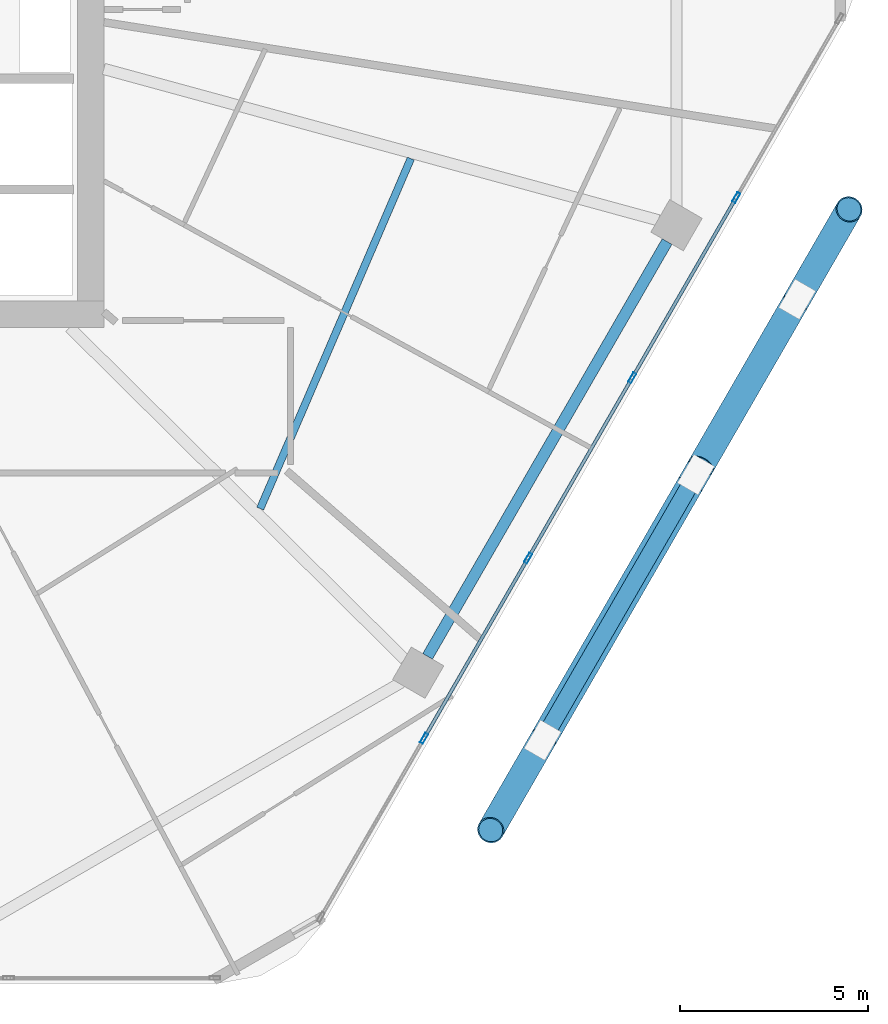
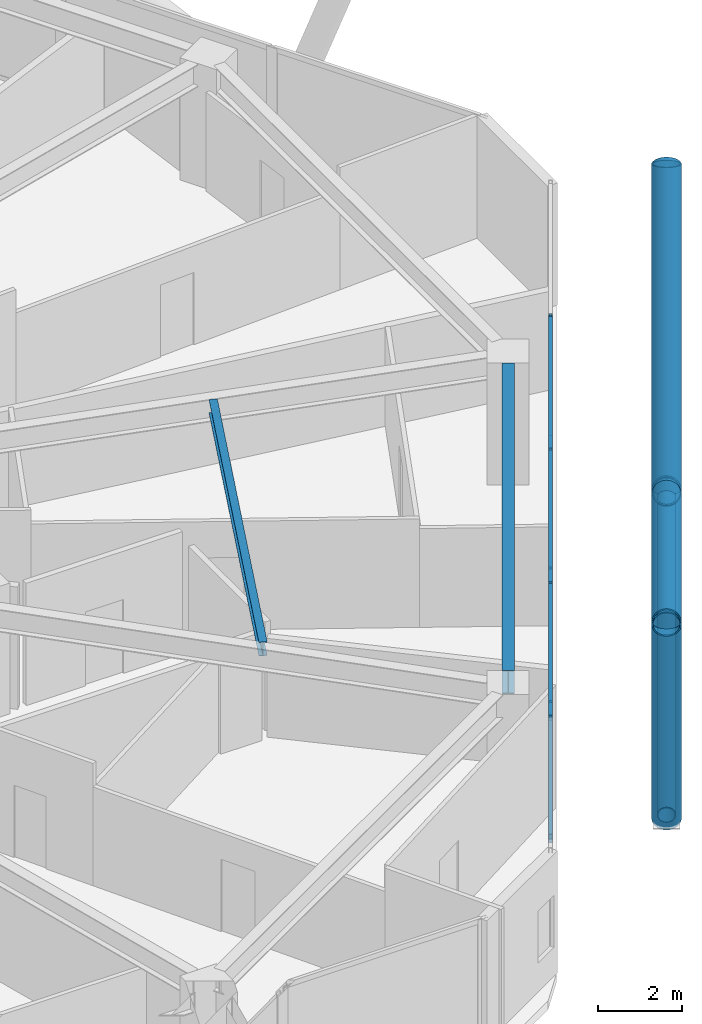
# One storey, part 8 of 28: 16 members, 2 beams, 1 element without a shape of its own.
"""IFC4 building model written with IfcOpenShell, lengths in metres."""

from ifc_helpers import new_model, si_unit, direction, frame, origin, origin_2d, place, context, subcontext, project, spatial, hollow_rectangle, hollow_circle, i_section, extrude, material, material_profile, profile_set, type_object, element, aggregate, save


model = new_model("IFC4")

# Units and contexts
model_context = context("Model", 3, precision=1e-05, world=origin(), true_north=direction((0.0, 1.0)))
body_context = subcontext(model_context, "Body", "Model", "MODEL_VIEW")
ifc_project = project(units=[si_unit("LENGTHUNIT", "METRE"), si_unit("AREAUNIT", "SQUARE_METRE"), si_unit("VOLUMEUNIT", "CUBIC_METRE"), si_unit("PLANEANGLEUNIT", "RADIAN"), si_unit("MASSUNIT", "GRAM", prefix="KILO")], contexts=[model_context])

# Site, building, storey
site_placement = place(None, origin())
site = spatial("IfcSite", under=ifc_project, at=site_placement, CompositionType="ELEMENT")
building_placement = place(site_placement, origin())
building = spatial("IfcBuilding", under=site, at=building_placement, Name="Zuhravey Tower", CompositionType="ELEMENT")
storey_placement = place(building_placement, frame((0.0, 0.0, 169.39990234375)))
storey = spatial("IfcBuildingStorey", under=building, at=storey_placement, Name="L42", CompositionType="ELEMENT", Elevation=169.39990234375)

# Curtain wall, members
ifc_material_1 = material(Name="Thermally broken anodised aluminium", Category="aluminium")
curtain_wall_type = type_object("IfcCurtainWallType", Name="Zone 1-2 Residential Curtain Wall CW3", PredefinedType="NOTDEFINED", material=ifc_material_1)
curtain_wall_placement = place(storey_placement, origin())
curtain_wall = element("IfcCurtainWall", 1, at=curtain_wall_placement, inside=storey, type_object=curtain_wall_type, Name="L42 CW3 CW-L42-F6-1", PredefinedType="NOTDEFINED")
ifc_material_2 = material(Name="Anodised aluminium", Category="aluminium")
ifc_material_profile_1 = material_profile(ifc_material_2, hollow_rectangle(XDim=0.090087890625, YDim=0.284912109375, WallThickness=0.0048828125, at=origin_2d()), Name="ALU-RHS-90x285x5")
ifc_profile_set_1 = profile_set([ifc_material_profile_1], Name="Anodised aluminium")
member_type_1 = type_object("IfcMemberType", Name="Curtain-Wall Mullion 90x180", PredefinedType="MULLION", material=ifc_profile_set_1)
member_1_placement = place(storey_placement, frame((63.699462890625, 25.61083984375, 0.0), z_axis=(0.0, 0.0, 1.0), x_axis=(0.866025138215, -0.500000459979, 0.0)))
member_1 = element("IfcMember", 2, at=member_1_placement, type_object=member_type_1, Name="CW3 mullion 2", PredefinedType="MULLION", context=body_context, shape_type="SweptSolid", body=[
    extrude(hollow_rectangle(XDim=0.090087890625, YDim=0.284912109375, WallThickness=0.0048828125, at=origin_2d()), origin(), (0.0, 0.0, 1.0), 3.550048828125),
])
member_2_placement = place(storey_placement, frame((60.92724609375, 20.809326171875, 0.0), z_axis=(0.0, 0.0, 1.0), x_axis=(0.866025138215, -0.500000459979, 0.0)))
member_2 = element("IfcMember", 3, at=member_2_placement, type_object=member_type_1, Name="CW3 mullion 3", PredefinedType="MULLION", context=body_context, shape_type="SweptSolid", body=[
    extrude(hollow_rectangle(XDim=0.090087890625, YDim=0.284912109375, WallThickness=0.0048828125, at=origin_2d()), origin(), (0.0, 0.0, 1.0), 3.550048828125),
])
member_3_placement = place(storey_placement, frame((58.155029296875, 16.007568359375, 0.0), z_axis=(0.0, 0.0, 1.0), x_axis=(0.866025138215, -0.500000459979, 0.0)))
member_3 = element("IfcMember", 4, at=member_3_placement, type_object=member_type_1, Name="CW3 mullion 4", PredefinedType="MULLION", context=body_context, shape_type="SweptSolid", body=[
    extrude(hollow_rectangle(XDim=0.090087890625, YDim=0.284912109375, WallThickness=0.0048828125, at=origin_2d()), origin(), (0.0, 0.0, 1.0), 3.550048828125),
])
member_4_placement = place(storey_placement, frame((55.3828125, 11.2060546875, 0.0), z_axis=(0.0, 0.0, 1.0), x_axis=(0.866025138215, -0.500000459979, 0.0)))
member_4 = element("IfcMember", 5, at=member_4_placement, type_object=member_type_1, Name="CW3 mullion 5", PredefinedType="MULLION", context=body_context, shape_type="SweptSolid", body=[
    extrude(hollow_rectangle(XDim=0.090087890625, YDim=0.284912109375, WallThickness=0.0048828125, at=origin_2d()), origin(), (0.0, 0.0, 1.0), 3.550048828125),
])
ifc_material_profile_2 = material_profile(ifc_material_2, hollow_rectangle(XDim=0.090087890625, YDim=0.14990234375, WallThickness=0.0048828125, at=origin_2d()), Name="ALU-RHS-90x150x5")
ifc_profile_set_2 = profile_set([ifc_material_profile_2], Name="Anodised aluminium")
member_type_2 = type_object("IfcMemberType", Name="Curtain-Wall Transom 90x150", PredefinedType="USERDEFINED", material=ifc_profile_set_2)
member_5_placement = place(storey_placement, frame((63.677001953125, 25.572021484375, 0.045166015625), z_axis=(-0.49996138257, -0.86604769842, 0.0), x_axis=(0.86604769842, -0.49996138257, 0.0)))
member_5 = element("IfcMember", 6, at=member_5_placement, type_object=member_type_2, Name="CW3 transom 2.1", ObjectType="TRANSOM", PredefinedType="USERDEFINED", context=body_context, shape_type="SweptSolid", body=[
    extrude(hollow_rectangle(XDim=0.090087890625, YDim=0.14990234375, WallThickness=0.0048828125, at=origin_2d()), origin(), (0.0, 0.0, 1.0), 5.45458984375),
])
member_6_placement = place(storey_placement, frame((63.677001953125, 25.572021484375, 3.505126953125), z_axis=(-0.49996138257, -0.86604769842, 0.0), x_axis=(0.86604769842, -0.49996138257, 0.0)))
member_6 = element("IfcMember", 7, at=member_6_placement, type_object=member_type_2, Name="CW3 transom 2.2", ObjectType="TRANSOM", PredefinedType="USERDEFINED", context=body_context, shape_type="SweptSolid", body=[
    extrude(hollow_rectangle(XDim=0.090087890625, YDim=0.14990234375, WallThickness=0.0048828125, at=origin_2d()), origin(), (0.0, 0.0, 1.0), 5.45458984375),
])
member_7_placement = place(storey_placement, frame((60.90478515625, 20.770263671875, 0.045166015625), z_axis=(-0.499980763544, -0.866036509673, 0.0), x_axis=(0.866036509673, -0.499980763544, 0.0)))
member_7 = element("IfcMember", 8, at=member_7_placement, type_object=member_type_2, Name="CW3 transom 3.1", ObjectType="TRANSOM", PredefinedType="USERDEFINED", context=body_context, shape_type="SweptSolid", body=[
    extrude(hollow_rectangle(XDim=0.090087890625, YDim=0.14990234375, WallThickness=0.0048828125, at=origin_2d()), origin(), (0.0, 0.0, 1.0), 5.454345703125),
])
member_8_placement = place(storey_placement, frame((60.90478515625, 20.770263671875, 3.505126953125), z_axis=(-0.499980763544, -0.866036509673, 0.0), x_axis=(0.866036509673, -0.499980763544, 0.0)))
member_8 = element("IfcMember", 9, at=member_8_placement, type_object=member_type_2, Name="CW3 transom 3.2", ObjectType="TRANSOM", PredefinedType="USERDEFINED", context=body_context, shape_type="SweptSolid", body=[
    extrude(hollow_rectangle(XDim=0.090087890625, YDim=0.14990234375, WallThickness=0.0048828125, at=origin_2d()), origin(), (0.0, 0.0, 1.0), 5.454345703125),
])
member_9_placement = place(storey_placement, frame((58.132568359375, 15.96875, 0.045166015625), z_axis=(-0.49996138257, -0.86604769842, 0.0), x_axis=(0.86604769842, -0.49996138257, 0.0)))
member_9 = element("IfcMember", 10, at=member_9_placement, type_object=member_type_2, Name="CW3 transom 4.1", ObjectType="TRANSOM", PredefinedType="USERDEFINED", context=body_context, shape_type="SweptSolid", body=[
    extrude(hollow_rectangle(XDim=0.090087890625, YDim=0.14990234375, WallThickness=0.0048828125, at=origin_2d()), origin(), (0.0, 0.0, 1.0), 5.45458984375),
])
member_10_placement = place(storey_placement, frame((58.132568359375, 15.96875, 3.505126953125), z_axis=(-0.49996138257, -0.86604769842, 0.0), x_axis=(0.86604769842, -0.49996138257, 0.0)))
member_10 = element("IfcMember", 11, at=member_10_placement, type_object=member_type_2, Name="CW3 transom 4.2", ObjectType="TRANSOM", PredefinedType="USERDEFINED", context=body_context, shape_type="SweptSolid", body=[
    extrude(hollow_rectangle(XDim=0.090087890625, YDim=0.14990234375, WallThickness=0.0048828125, at=origin_2d()), origin(), (0.0, 0.0, 1.0), 5.45458984375),
])
aggregate(curtain_wall, [member_1, member_2, member_3, member_4, member_5, member_6, member_7, member_8, member_9, member_10])

# Members
ifc_material_3 = material(Name="Steel SM355", Category="steel")
ifc_material_profile_3 = material_profile(ifc_material_3, hollow_circle(Radius=0.228515625, WallThickness=0.02197265625, at=origin_2d()), Name="CHS-457.2x22")
ifc_profile_set_3 = profile_set([ifc_material_profile_3], Name="Steel SM355")
member_type_3 = type_object("IfcMemberType", Name="Exoskeleton Ring Tie CHS457x22", PredefinedType="CHORD", material=ifc_profile_set_3)
member_11_placement = place(storey_placement, frame((58.611083984375, 11.27734375, -0.4638671875), z_axis=(0.500004091344, 0.866023041633, 0.0), x_axis=(-0.866023041633, 0.500004091344, 0.0)))
element("IfcMember", 12, at=member_11_placement, inside=storey, type_object=member_type_3, Name="L42 Exoskeleton Face 6 Tie EXR1", PredefinedType="CHORD", context=body_context, shape_type="SweptSolid", body=[
    extrude(hollow_circle(Radius=0.228515625, WallThickness=0.02197265625, at=origin_2d()), origin(), (0.0, 0.0, 1.0), 13.28173828125),
])
ifc_material_4 = material(Name="Steel SM460", Category="steel")
ifc_material_profile_4 = material_profile(ifc_material_4, hollow_circle(Radius=0.355712890625, WallThickness=0.031982421875, at=origin_2d()), Name="CHS-711.2x32")
ifc_profile_set_4 = profile_set([ifc_material_profile_4], Name="Steel SM460")
member_type_4 = type_object("IfcMemberType", Name="Exoskeleton Zone 2 Diagrid CHS711x32", PredefinedType="BRACE", material=ifc_profile_set_4)
member_12_placement = place(storey_placement, frame((58.537353515625, 11.149658203125, -0.44384765625), z_axis=(-0.171428917165, -0.296929081792, 0.939385568734), x_axis=(0.866029404905, -0.499993069792, 0.0)))
element("IfcMember", 13, at=member_12_placement, inside=storey, type_object=member_type_4, Name="L42 Face 6 Diagrid Brace 1", PredefinedType="BRACE", context=body_context, shape_type="SweptSolid", body=[
    extrude(hollow_circle(Radius=0.355712890625, WallThickness=0.031982421875, at=origin_2d()), origin(), (0.0, 0.0, 1.0), 8.0478515625),
])
member_13_placement = place(storey_placement, frame((58.5625, 11.193115234375, -0.44384765625), z_axis=(0.453338388553, 0.785209877744, 0.421817203724), x_axis=(-0.866026715089, 0.499997728747, 0.0)))
element("IfcMember", 14, at=member_13_placement, inside=storey, type_object=member_type_4, Name="L42 Face 6 Diagrid Brace 2", PredefinedType="BRACE", context=body_context, shape_type="SweptSolid", body=[
    extrude(hollow_circle(Radius=0.355712890625, WallThickness=0.031982421875, at=origin_2d()), origin(), (0.0, 0.0, 1.0), 17.922607421875),
])
member_14_placement = place(storey_placement, frame((65.32568359375, 22.9072265625, -0.44384765625), z_axis=(0.171428917165, 0.296929081792, 0.939385568734), x_axis=(-0.866029404905, 0.499993069792, 0.0)))
element("IfcMember", 15, at=member_14_placement, inside=storey, type_object=member_type_4, Name="L42 Face 6 Diagrid Brace 4", PredefinedType="BRACE", context=body_context, shape_type="SweptSolid", body=[
    extrude(hollow_circle(Radius=0.355712890625, WallThickness=0.031982421875, at=origin_2d()), origin(), (0.0, 0.0, 1.0), 8.0478515625),
])
member_15_placement = place(storey_placement, frame((65.302734375, 22.867431640625, -0.4365234375), z_axis=(-0.408775424455, -0.70798015044, 0.575905164887), x_axis=(0.866013277291, -0.500021003115, 0.0)))
element("IfcMember", 16, at=member_15_placement, inside=storey, type_object=member_type_4, Name="L42 Face 6 Split Diagrid Brace 3A", PredefinedType="BRACE", context=body_context, shape_type="SweptSolid", body=[
    extrude(hollow_circle(Radius=0.355712890625, WallThickness=0.031982421875, at=origin_2d()), origin(), (0.0, 0.0, 1.0), 6.205322265625),
])
member_16_placement = place(storey_placement, frame((62.4619140625, 17.947021484375, 3.449462890625), z_axis=(-0.472345150126, -0.818084346156, 0.32806716039), x_axis=(0.866014433275, -0.500019000998, 0.0)))
element("IfcMember", 17, at=member_16_placement, inside=storey, type_object=member_type_4, Name="L42 Face 6 Split Diagrid Brace 3B", PredefinedType="BRACE", context=body_context, shape_type="SweptSolid", body=[
    extrude(hollow_circle(Radius=0.355712890625, WallThickness=0.031982421875, at=origin_2d()), origin(), (0.0, 0.0, 1.0), 11.190185546875),
])

# Beams
ifc_material_profile_5 = material_profile(ifc_material_3, i_section(OverallWidth=0.300048828125, OverallDepth=0.679931640625, WebThickness=0.012939453125, FlangeThickness=0.02197265625, at=origin_2d()), Name="H-680x300x13x22")
ifc_profile_set_5 = profile_set([ifc_material_profile_5], Name="Steel SM355")
beam_type_1 = type_object("IfcBeamType", Name="Perimeter Ring Beam H680x300", PredefinedType="BEAM", material=ifc_profile_set_5)
beam_1_placement = place(storey_placement, frame((55.47705078125, 13.388916015625, 3.210205078125), z_axis=(0.499997974489, 0.866026573211, 0.0), x_axis=(-0.866026573211, 0.499997974489, 0.0)))
element("IfcBeam", 18, at=beam_1_placement, inside=storey, type_object=beam_type_1, Name="L42 PB2 BM-L42-PB-11", PredefinedType="BEAM", context=body_context, shape_type="SweptSolid", body=[
    extrude(i_section(OverallWidth=0.300048828125, OverallDepth=0.679931640625, WebThickness=0.012939453125, FlangeThickness=0.02197265625, at=origin_2d()), origin(), (0.0, 0.0, 1.0), 12.75830078125),
])
ifc_material_profile_6 = material_profile(ifc_material_3, i_section(OverallWidth=0.199951171875, OverallDepth=0.39990234375, WebThickness=0.008056640625, FlangeThickness=0.012939453125, at=origin_2d()), Name="H-400x200x8x13")
ifc_profile_set_6 = profile_set([ifc_material_profile_6], Name="Steel SM355")
beam_type_2 = type_object("IfcBeamType", Name="Secondary Floor Joist H400x200", PredefinedType="JOIST", material=ifc_profile_set_6)
beam_2_placement = place(storey_placement, frame((51.017578125, 17.323974609375, 3.35009765625), z_axis=(0.395265853487, 0.918566766799, 0.0), x_axis=(-0.918566766799, 0.395265853487, 0.0)))
element("IfcBeam", 19, at=beam_2_placement, inside=storey, type_object=beam_type_2, Name="L42 SJ2 BM-L42-SJ-11-1", PredefinedType="JOIST", context=body_context, shape_type="SweptSolid", body=[
    extrude(i_section(OverallWidth=0.199951171875, OverallDepth=0.39990234375, WebThickness=0.008056640625, FlangeThickness=0.012939453125, at=origin_2d()), origin(), (0.0, 0.0, 1.0), 10.150146484375),
])

save(model, "model.ifc")
